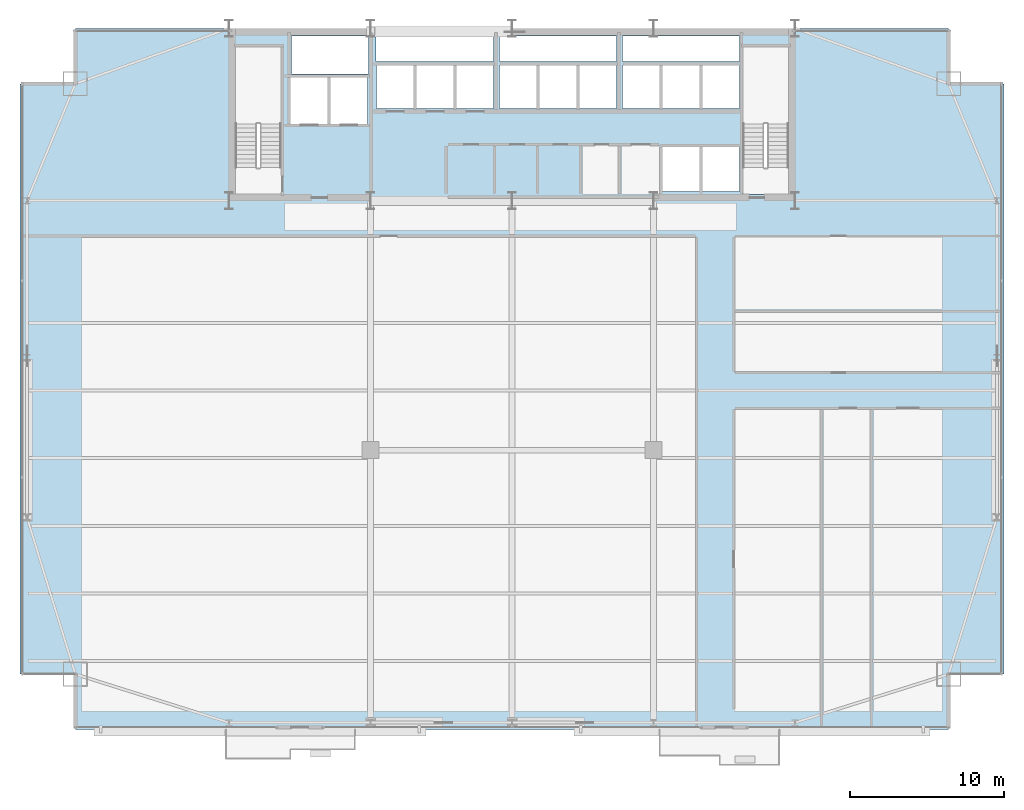
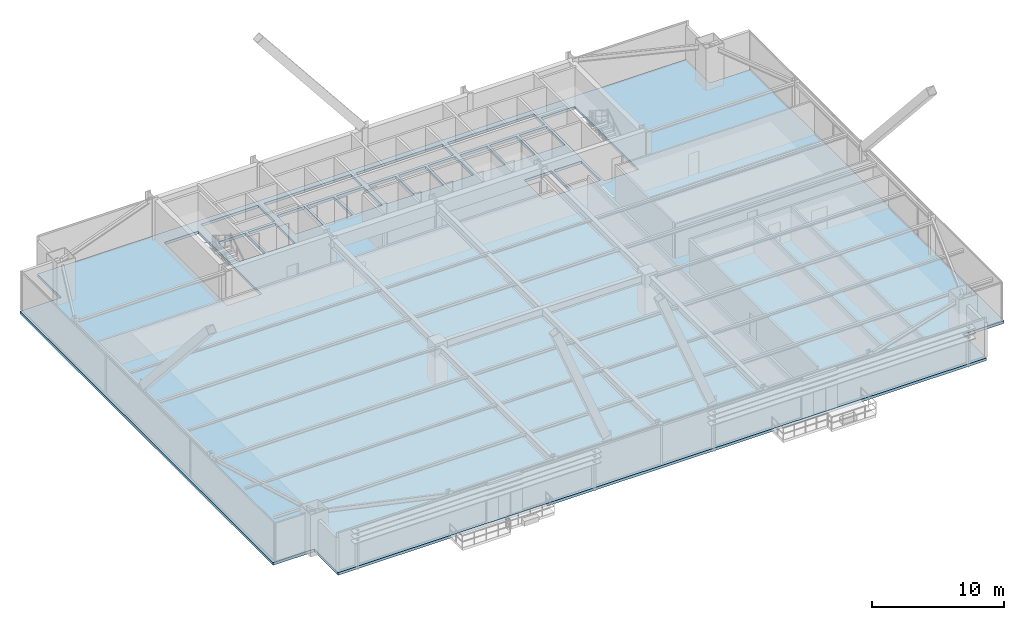
# One storey, part 26 of 35: 1 slab.
"""IFC4 building model written with IfcOpenShell, lengths in metres."""

import ifcopenshell
import ifcopenshell.guid

model = None  # the IFC model being written
_history = None  # IfcOwnerHistory: only IFC2X3 demands one
_inside = {}  # id of a spatial element -> (the spatial element, [elements in it])
_under = {}  # id of a project, library or spatial element -> (it, [spatial elements below it])
_declared = {}  # id of a project -> (the project, [libraries it declares])
_typed = {}  # id of a type object -> (the type object, [elements of that type])
_made_of = {}  # id of a material, layer set ... -> (it, [elements and type objects made of it])


def new_model(schema):
    """Start an empty IFC model of exactly this schema.

    Asked for "IFC4X3", IfcOpenShell would pick the latest addendum, in which some entities
    have other attributes; the version numbers below select the first issue.
    IFC2X3 requires an IfcOwnerHistory on every rooted entity: one is made here for all.
    """
    global model, _history
    if schema == "IFC4X3":
        model = ifcopenshell.file(schema_version=(4, 3, 0, 0))
    else:
        model = ifcopenshell.file(schema=schema)
    _inside.clear()
    _under.clear()
    _declared.clear()
    _typed.clear()
    _made_of.clear()
    _history = None
    if model.schema == "IFC2X3":
        org = make("IfcOrganization", Name="unknown")
        user = make(
            "IfcPersonAndOrganization",
            ThePerson=make("IfcPerson", FamilyName="unknown"),
            TheOrganization=org,
        )
        app = make(
            "IfcApplication",
            ApplicationDeveloper=org,
            Version="unknown",
            ApplicationFullName="unknown",
            ApplicationIdentifier="unknown",
        )
        _history = make(
            "IfcOwnerHistory",
            OwningUser=user,
            OwningApplication=app,
            ChangeAction="ADDED",
            CreationDate=0,
        )
    return model


def make(cls, **values):
    """One entity of the class cls with the attributes given. An attribute that is None is left unset."""
    return model.create_entity(
        cls, **{name: value for name, value in values.items() if value is not None}
    )


def rooted(cls, **values):
    """An entity with a GlobalId (a new one), such as an element, a storey or a relation."""
    return make(cls, GlobalId=ifcopenshell.guid.new(), OwnerHistory=_history, **values)


def si_unit(unit_type, name, prefix=None):
    """IfcSIUnit, for example si_unit("LENGTHUNIT", "METRE", prefix="MILLI")."""
    return make("IfcSIUnit", UnitType=unit_type, Prefix=prefix, Name=name)


def assignment(units):
    """IfcUnitAssignment: the units of a project."""
    return None if units is None else make("IfcUnitAssignment", Units=units)


def point(xyz):
    """IfcCartesianPoint."""
    return None if xyz is None else make("IfcCartesianPoint", Coordinates=xyz)


def direction(xyz):
    """IfcDirection."""
    return None if xyz is None else make("IfcDirection", DirectionRatios=xyz)


def frame(location, z_axis=None, x_axis=None):
    """IfcAxis2Placement3D, a coordinate frame: its origin and axes. An axis left out is left unset."""
    return make(
        "IfcAxis2Placement3D",
        Location=point(location),
        Axis=direction(z_axis),
        RefDirection=direction(x_axis),
    )


def origin():
    """The frame at (0, 0, 0) with its axes left unset."""
    return frame((0.0, 0.0, 0.0))


def place(relative_to, where):
    """IfcLocalPlacement: puts the frame where relative to a parent placement (None: the world)."""
    return make(
        "IfcLocalPlacement", PlacementRelTo=relative_to, RelativePlacement=where
    )


def context(
    kind, dimensions, precision=None, world=None, true_north=None, identifier=None
):
    """IfcGeometricRepresentationContext, for example the 3D "Model" context."""
    return make(
        "IfcGeometricRepresentationContext",
        ContextIdentifier=identifier,
        ContextType=kind,
        CoordinateSpaceDimension=dimensions,
        Precision=precision,
        WorldCoordinateSystem=world,
        TrueNorth=true_north,
    )


def subcontext(parent, identifier, kind, view, scale=None):
    """IfcGeometricRepresentationSubContext, for example "Body" below "Model"."""
    return make(
        "IfcGeometricRepresentationSubContext",
        ContextIdentifier=identifier,
        ContextType=kind,
        ParentContext=parent,
        TargetScale=scale,
        TargetView=view,
    )


def project(units=None, contexts=None):
    """IfcProject with its units and contexts."""
    return rooted(
        "IfcProject",
        Name="project",
        RepresentationContexts=contexts,
        UnitsInContext=assignment(units),
    )


def spatial(cls, under=None, at=None, **own):
    """A site, building, storey or space (cls), placed at a placement, below another one or the project."""
    s = rooted(cls, ObjectPlacement=at, **own)
    if under is not None:
        _under.setdefault(under.id(), (under, []))[1].append(s)
    return s


def polyline(points):
    """IfcPolyline through the points."""
    return make("IfcPolyline", Points=[point(p) for p in points])


def outline(outer, holes=None, kind="AREA"):
    """IfcArbitraryClosedProfileDef: a profile drawn as a closed curve; with holes, ...WithVoids."""
    if holes is None:
        return make("IfcArbitraryClosedProfileDef", ProfileType=kind, OuterCurve=outer)
    return make(
        "IfcArbitraryProfileDefWithVoids",
        ProfileType=kind,
        OuterCurve=outer,
        InnerCurves=holes,
    )


def extrude(swept, where, along, depth):
    """IfcExtrudedAreaSolid: the profile swept, set in the frame where, extruded along a direction by depth."""
    return make(
        "IfcExtrudedAreaSolid",
        SweptArea=swept,
        Position=where,
        ExtrudedDirection=direction(along),
        Depth=depth,
    )


def shape(context_of_items, identifier, shape_type, items):
    """IfcShapeRepresentation: the items that make up one representation, for example the "Body"."""
    return make(
        "IfcShapeRepresentation",
        ContextOfItems=context_of_items,
        RepresentationIdentifier=identifier,
        RepresentationType=shape_type,
        Items=items,
    )


def material(Name=None, Category=None):
    """IfcMaterial."""
    return make("IfcMaterial", Name=Name, Category=Category)


def layer(
    of_material, thickness, ventilated=None, Name=None, Category=None, Priority=None
):
    """IfcMaterialLayer: one layer of a wall or slab, of a material (None: an air gap)."""
    return make(
        "IfcMaterialLayer",
        Material=of_material,
        LayerThickness=thickness,
        IsVentilated=ventilated,
        Name=Name,
        Category=Category,
        Priority=Priority,
    )


def layer_set(layers, Name=None):
    """IfcMaterialLayerSet."""
    return make("IfcMaterialLayerSet", MaterialLayers=layers, LayerSetName=Name)


def made_of(thing, what):
    """Note that an element or type object is made of a material, layer set ...; save() writes the relation."""
    if what is not None:
        _made_of.setdefault(what.id(), (what, []))[1].append(thing)
    return thing


def type_object(cls, material=None, **own):
    """A type object (cls), such as IfcWallType, which elements share."""
    return made_of(rooted(cls, **own), material)


def element(
    cls,
    number,
    at=None,
    inside=None,
    cuts=None,
    type_object=None,
    material=None,
    context=None,
    identifier="Body",
    shape_type=None,
    held_by="IfcProductDefinitionShape",
    body=None,
    shapes=None,
    **own,
):
    """One element of the class cls, such as IfcWall. Its Tag is "e" and its number.

    at: its placement. inside: the storey or other place that contains it. cuts: it is an
    opening in that element (IfcRelVoidsElement). A single representation is given by context,
    identifier, shape_type and body (its items); several are given by shapes. held_by: the class
    of the entity that holds the representations. save() writes the other relations.
    """
    e = rooted(cls, Tag="e%d" % number, ObjectPlacement=at, **own)
    if body is not None:
        shapes = [shape(context, identifier, shape_type, body)]
    if shapes is not None:
        e.Representation = make(held_by, Representations=shapes)
    if inside is not None:
        _inside.setdefault(inside.id(), (inside, []))[1].append(e)
    if cuts is not None:
        rooted(
            "IfcRelVoidsElement", RelatingBuildingElement=cuts, RelatedOpeningElement=e
        )
    if type_object is not None:
        _typed.setdefault(type_object.id(), (type_object, []))[1].append(e)
    return made_of(e, material)


def aggregate(whole, parts):
    """IfcRelAggregates: a whole, such as a stair, and the parts it consists of."""
    return rooted("IfcRelAggregates", RelatingObject=whole, RelatedObjects=parts)


def save(model, path):
    """Write the relations noted so far, then the file.

    IfcRelAggregates (storeys below a building ...), IfcRelContainedInSpatialStructure (elements
    in a storey), IfcRelDefinesByType, IfcRelAssociatesMaterial and IfcRelDeclares: one each for
    every whole, place, type object, material and project.
    """
    for whole, parts in _under.values():
        aggregate(whole, parts)
    for where, things in _inside.values():
        rooted(
            "IfcRelContainedInSpatialStructure",
            RelatedElements=things,
            RelatingStructure=where,
        )
    for kind, things in _typed.values():
        rooted("IfcRelDefinesByType", RelatedObjects=things, RelatingType=kind)
    for what, things in _made_of.values():
        rooted("IfcRelAssociatesMaterial", RelatedObjects=things, RelatingMaterial=what)
    for by, libraries in _declared.values():
        rooted("IfcRelDeclares", RelatingContext=by, RelatedDefinitions=libraries)
    model.write(path)


model = new_model("IFC4")

# Units and contexts
model_context = context("Model", 3, precision=1e-05, world=origin(), true_north=direction((0.0, 1.0)))
body_context = subcontext(model_context, "Body", "Model", "MODEL_VIEW")
ifc_project = project(units=[si_unit("LENGTHUNIT", "METRE"), si_unit("AREAUNIT", "SQUARE_METRE"), si_unit("VOLUMEUNIT", "CUBIC_METRE"), si_unit("PLANEANGLEUNIT", "RADIAN"), si_unit("MASSUNIT", "GRAM", prefix="KILO")], contexts=[model_context])

# Site, building, storey
site_placement = place(None, origin())
site = spatial("IfcSite", under=ifc_project, at=site_placement, CompositionType="ELEMENT")
building_placement = place(site_placement, origin())
building = spatial("IfcBuilding", under=site, at=building_placement, Name="Varnel Quay Broadcast Tower", CompositionType="ELEMENT")
storey_placement = place(building_placement, frame((0.0, 0.0, 66.60009765625)))
storey = spatial("IfcBuildingStorey", under=building, at=storey_placement, Name="L15", CompositionType="ELEMENT", Elevation=66.60009765625)

# Slab
ifc_material = material(Name="Concrete CSA A23.3 C50/60", Category="concrete")
ifc_layer = layer(ifc_material, 0.25, Name="Concrete CSA A23.3 C50/60")
ifc_layer_set = layer_set([ifc_layer], Name="Concrete CSA A23.3 C50/60")
slab_type = type_object("IfcSlabType", Name="Slab_Floor250", PredefinedType="FLOOR", material=ifc_layer_set)
slab_placement = place(storey_placement, frame((0.0, 0.0, -0.25)))
element("IfcSlab", 1, at=slab_placement, inside=storey, type_object=slab_type, Name="L15 Structural Slab", PredefinedType="FLOOR", context=body_context, shape_type="SweptSolid", body=[
    extrude(outline(polyline([(5.60009765625, 1.199951171875), (62.39990234375, 1.199951171875), (62.39990234375, 4.800048828125), (66.0, 4.800048828125), (66.0, 43.199951171875), (62.39990234375, 43.199951171875), (62.39990234375, 46.800048828125), (5.60009765625, 46.800048828125), (5.60009765625, 43.199951171875), (2.0, 43.199951171875), (2.0, 4.800048828125), (5.60009765625, 4.800048828125), (5.60009765625, 1.199951171875)]), holes=[polyline([(16.0, 36.0), (16.0, 45.60009765625), (19.0, 45.60009765625), (19.0, 36.0), (16.0, 36.0)]), polyline([(19.60009765625, 43.60009765625), (22.0, 43.60009765625), (22.0, 40.60009765625), (19.60009765625, 40.60009765625), (19.60009765625, 43.60009765625)]), polyline([(22.199951171875, 43.60009765625), (24.60009765625, 43.60009765625), (24.60009765625, 40.60009765625), (22.199951171875, 40.60009765625), (22.199951171875, 43.60009765625)]), polyline([(25.199951171875, 44.39990234375), (27.60009765625, 44.39990234375), (27.60009765625, 41.60009765625), (25.199951171875, 41.60009765625), (25.199951171875, 44.39990234375)]), polyline([(27.800048828125, 44.39990234375), (30.199951171875, 44.39990234375), (30.199951171875, 41.60009765625), (27.800048828125, 41.60009765625), (27.800048828125, 44.39990234375)]), polyline([(30.39990234375, 44.39990234375), (32.800048828125, 44.39990234375), (32.800048828125, 41.60009765625), (30.39990234375, 41.60009765625), (30.39990234375, 44.39990234375)]), polyline([(33.199951171875, 44.39990234375), (35.60009765625, 44.39990234375), (35.60009765625, 41.60009765625), (33.199951171875, 41.60009765625), (33.199951171875, 44.39990234375)]), polyline([(38.199951171875, 44.39990234375), (38.199951171875, 41.60009765625), (35.800048828125, 41.60009765625), (35.800048828125, 44.39990234375), (38.199951171875, 44.39990234375)]), polyline([(24.679931640625, 46.300048828125), (24.679931640625, 43.85009765625), (19.64990234375, 43.85009765625), (19.64990234375, 46.300048828125), (24.679931640625, 46.300048828125)]), polyline([(25.14990234375, 46.300048828125), (32.800048828125, 46.300048828125), (32.800048828125, 44.64990234375), (25.14990234375, 44.64990234375), (25.14990234375, 46.300048828125)]), polyline([(43.800048828125, 39.10009765625), (46.199951171875, 39.10009765625), (46.199951171875, 36.199951171875), (43.800048828125, 36.199951171875), (43.800048828125, 39.10009765625)]), polyline([(46.39990234375, 39.10009765625), (48.800048828125, 39.10009765625), (48.800048828125, 36.199951171875), (46.39990234375, 36.199951171875), (46.39990234375, 39.10009765625)]), polyline([(49.0, 45.60009765625), (52.0, 45.60009765625), (52.0, 36.0), (49.0, 36.0), (49.0, 45.60009765625)]), polyline([(40.800048828125, 44.39990234375), (40.800048828125, 41.60009765625), (38.39990234375, 41.60009765625), (38.39990234375, 44.39990234375), (40.800048828125, 44.39990234375)]), polyline([(41.199951171875, 44.39990234375), (43.60009765625, 44.39990234375), (43.60009765625, 41.60009765625), (41.199951171875, 41.60009765625), (41.199951171875, 44.39990234375)]), polyline([(43.800048828125, 44.39990234375), (46.199951171875, 44.39990234375), (46.199951171875, 41.60009765625), (43.800048828125, 41.60009765625), (43.800048828125, 44.39990234375)]), polyline([(46.39990234375, 44.39990234375), (48.800048828125, 44.39990234375), (48.800048828125, 41.60009765625), (46.39990234375, 41.60009765625), (46.39990234375, 44.39990234375)]), polyline([(40.800048828125, 46.300048828125), (40.800048828125, 44.64990234375), (33.199951171875, 44.64990234375), (33.199951171875, 46.300048828125), (40.800048828125, 46.300048828125)]), polyline([(48.800048828125, 46.300048828125), (48.800048828125, 44.64990234375), (41.199951171875, 44.64990234375), (41.199951171875, 46.300048828125), (48.800048828125, 46.300048828125)])]), origin(), (0.0, 0.0, 1.0), 0.25),
])

save(model, "model.ifc")
